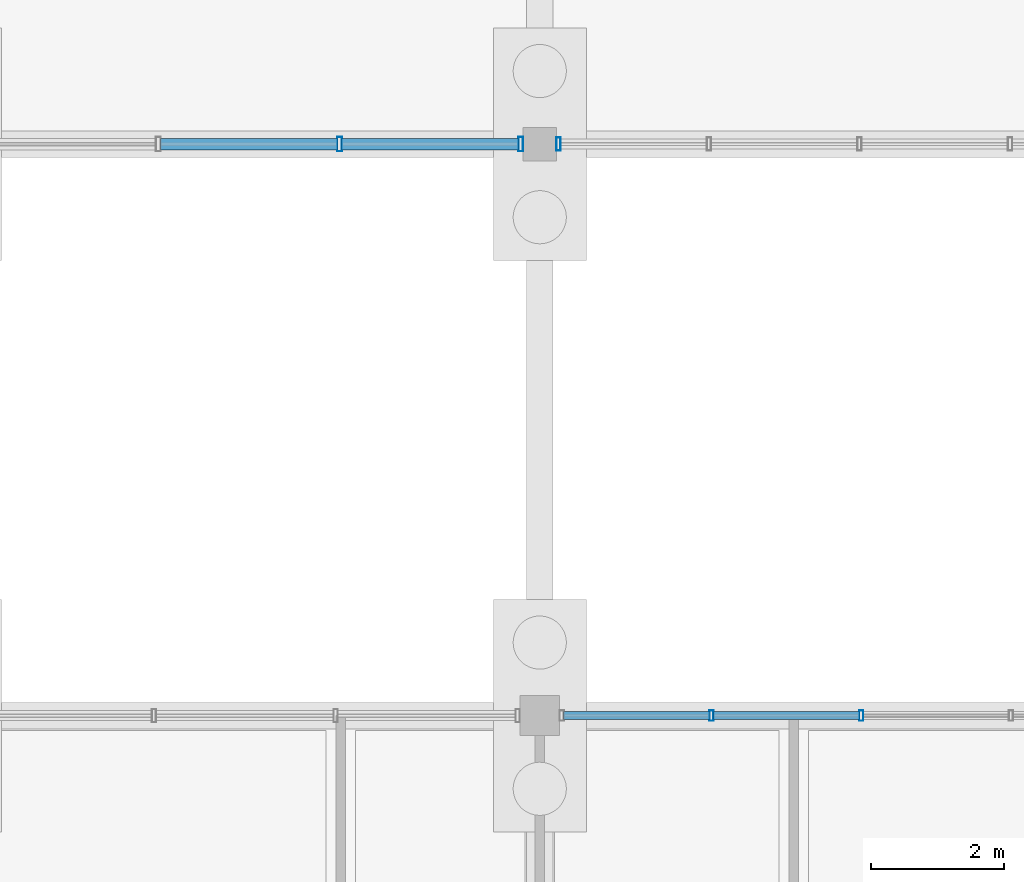
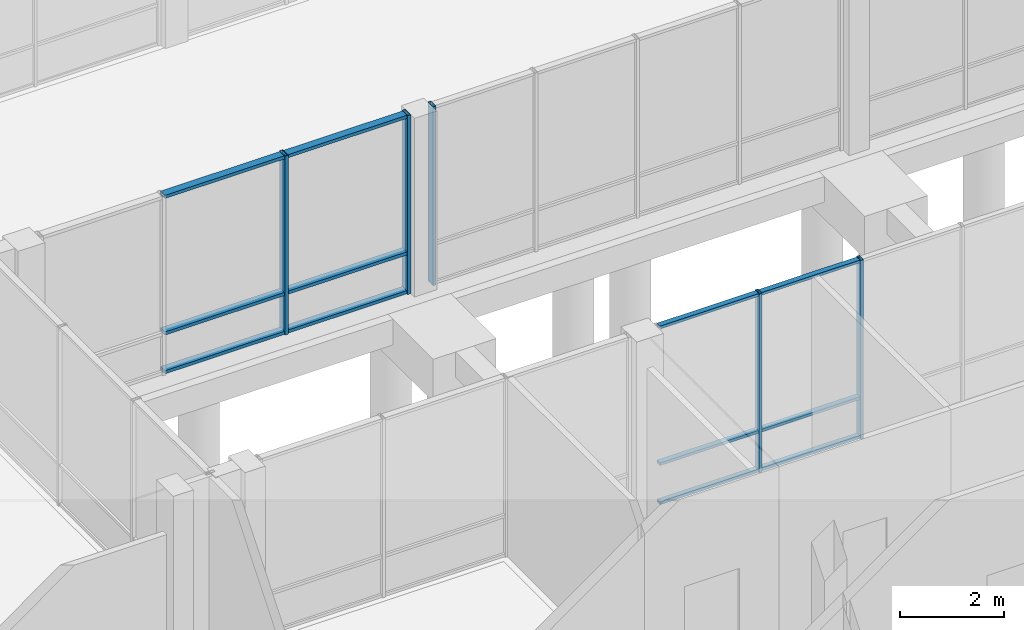
# One storey, part 50 of 104: 17 members, 3 elements without a shape of their own.
"""IFC4 building model written with IfcOpenShell, lengths in metres."""

from ifc_helpers import new_model, si_unit, direction, frame, origin, origin_2d, place, context, subcontext, project, spatial, hollow_rectangle, extrude, material, material_profile, profile_set, type_object, element, aggregate, save


model = new_model("IFC4")

# Units and contexts
model_context = context("Model", 3, precision=1e-05, world=origin(), true_north=direction((0.0, 1.0)))
body_context = subcontext(model_context, "Body", "Model", "MODEL_VIEW")
ifc_project = project(units=[si_unit("LENGTHUNIT", "METRE"), si_unit("AREAUNIT", "SQUARE_METRE"), si_unit("VOLUMEUNIT", "CUBIC_METRE"), si_unit("PLANEANGLEUNIT", "RADIAN"), si_unit("MASSUNIT", "GRAM", prefix="KILO")], contexts=[model_context])

# Site, building, storey
site_placement = place(None, origin())
site = spatial("IfcSite", under=ifc_project, at=site_placement, CompositionType="ELEMENT")
building_placement = place(site_placement, origin())
building = spatial("IfcBuilding", under=site, at=building_placement, Name="Hawrajan Terrace Health Centre", CompositionType="ELEMENT")
storey_placement = place(building_placement, origin())
storey = spatial("IfcBuildingStorey", under=building, at=storey_placement, Name="L00", CompositionType="ELEMENT", Elevation=0.0)

# Curtain wall, members
ifc_material_1 = material(Name="Anodized bronze aluminium and low-E solar glazing", Category="aluminium")
curtain_wall_type_1 = type_object("IfcCurtainWallType", Name="CW_Garden_SeriesF2", PredefinedType="USERDEFINED", material=ifc_material_1)
curtain_wall_1_placement = place(storey_placement, origin())
curtain_wall_1 = element("IfcCurtainWall", 1, at=curtain_wall_1_placement, inside=storey, type_object=curtain_wall_type_1, Name="Curtain wall CW-L00-039", ObjectType="UNITISED CURTAIN WALL", PredefinedType="USERDEFINED")
ifc_material_2 = material(Name="Anodized bronze aluminium 6063-T6", Category="aluminium")
ifc_material_profile_1 = material_profile(ifc_material_2, hollow_rectangle(XDim=0.06494140625, YDim=0.159912109375, WallThickness=0.00390625, at=origin_2d()), Name="CW MUL 65x160")
ifc_profile_set_1 = profile_set([ifc_material_profile_1], Name="Anodized bronze aluminium 6063-T6")
member_type_1 = type_object("IfcMemberType", Name="CWMullion_65x160", PredefinedType="MULLION", material=ifc_profile_set_1)
member_1_placement = place(storey_placement, frame((83.985107421875, 18.60009765625, -0.0048828125), z_axis=(0.0, 0.0, 1.0), x_axis=(1.0, 0.0, 0.0)))
member_1 = element("IfcMember", 2, at=member_1_placement, type_object=member_type_1, Name="Mullion CW-L00-039-M2", PredefinedType="MULLION", context=body_context, shape_type="SweptSolid", body=[
    extrude(hollow_rectangle(XDim=0.06494140625, YDim=0.159912109375, WallThickness=0.00390625, at=origin_2d()), origin(), (0.0, 0.0, 1.0), 4.2099609375),
])
member_2_placement = place(storey_placement, frame((86.237548828125, 18.60009765625, -0.0048828125), z_axis=(0.0, 0.0, 1.0), x_axis=(1.0, 0.0, 0.0)))
member_2 = element("IfcMember", 3, at=member_2_placement, type_object=member_type_1, Name="Mullion CW-L00-039-M3", PredefinedType="MULLION", context=body_context, shape_type="SweptSolid", body=[
    extrude(hollow_rectangle(XDim=0.06494140625, YDim=0.159912109375, WallThickness=0.00390625, at=origin_2d()), origin(), (0.0, 0.0, 1.0), 4.2099609375),
])

# Curtain wall, member
curtain_wall_type_2 = type_object("IfcCurtainWallType", Name="CW_Clerestory_SeriesG1", PredefinedType="USERDEFINED", material=ifc_material_1)
curtain_wall_2_placement = place(storey_placement, origin())
curtain_wall_2 = element("IfcCurtainWall", 4, at=curtain_wall_2_placement, inside=storey, type_object=curtain_wall_type_2, Name="Curtain wall CW-L00-040", ObjectType="UNITISED CURTAIN WALL", PredefinedType="USERDEFINED")
ifc_material_profile_2 = material_profile(ifc_material_2, hollow_rectangle(XDim=0.06494140625, YDim=0.199951171875, WallThickness=0.00439453125, at=origin_2d()), Name="CW MUL 65x200")
ifc_profile_set_2 = profile_set([ifc_material_profile_2], Name="Anodized bronze aluminium 6063-T6")
member_type_2 = type_object("IfcMemberType", Name="CWMullion_65x200", PredefinedType="MULLION", material=ifc_profile_set_2)
member_3_placement = place(storey_placement, frame((81.6826171875, 27.199951171875, -0.0048828125), z_axis=(0.0, 0.0, 1.0), x_axis=(1.0, 0.0, 0.0)))
member_3 = element("IfcMember", 5, at=member_3_placement, type_object=member_type_2, Name="Mullion CW-L00-040-M1", PredefinedType="MULLION", context=body_context, shape_type="SweptSolid", body=[
    extrude(hollow_rectangle(XDim=0.06494140625, YDim=0.199951171875, WallThickness=0.00439453125, at=origin_2d()), origin(), (0.0, 0.0, 1.0), 4.2099609375),
])
aggregate(curtain_wall_2, [member_3])

# Curtain wall, members
curtain_wall_type_3 = type_object("IfcCurtainWallType", Name="CW_Hall_SeriesD2", PredefinedType="USERDEFINED", material=ifc_material_1)
curtain_wall_3_placement = place(storey_placement, origin())
curtain_wall_3 = element("IfcCurtainWall", 6, at=curtain_wall_3_placement, inside=storey, type_object=curtain_wall_type_3, Name="Curtain wall CW-L00-035", ObjectType="UNITISED CURTAIN WALL", PredefinedType="USERDEFINED")
ifc_material_profile_3 = material_profile(ifc_material_2, hollow_rectangle(XDim=0.074951171875, YDim=0.219970703125, WallThickness=0.0048828125, at=origin_2d()), Name="CW MUL 75x220")
ifc_profile_set_3 = profile_set([ifc_material_profile_3], Name="Anodized bronze aluminium 6063-T6")
member_type_3 = type_object("IfcMemberType", Name="CWMullion_75x220", PredefinedType="MULLION", material=ifc_profile_set_3)
member_4_placement = place(storey_placement, frame((78.387451171875, 27.199951171875, -0.0048828125), z_axis=(0.0, 0.0, 1.0), x_axis=(1.0, 0.0, 0.0)))
member_4 = element("IfcMember", 7, at=member_4_placement, type_object=member_type_3, Name="Mullion CW-L00-035-M3", PredefinedType="MULLION", context=body_context, shape_type="SweptSolid", body=[
    extrude(hollow_rectangle(XDim=0.074951171875, YDim=0.219970703125, WallThickness=0.0048828125, at=origin_2d()), origin(), (0.0, 0.0, 1.0), 4.2099609375),
])
member_5_placement = place(storey_placement, frame((81.112548828125, 27.199951171875, -0.0048828125), z_axis=(0.0, 0.0, 1.0), x_axis=(1.0, 0.0, 0.0)))
member_5 = element("IfcMember", 8, at=member_5_placement, type_object=member_type_3, Name="Mullion CW-L00-035-M4", PredefinedType="MULLION", context=body_context, shape_type="SweptSolid", body=[
    extrude(hollow_rectangle(XDim=0.074951171875, YDim=0.219970703125, WallThickness=0.0048828125, at=origin_2d()), origin(), (0.0, 0.0, 1.0), 4.2099609375),
])

# Member
ifc_material_profile_4 = material_profile(ifc_material_2, hollow_rectangle(XDim=0.06494140625, YDim=0.1201171875, WallThickness=0.00341796875, at=origin_2d()), Name="CW TRN 65x120")
ifc_profile_set_4 = profile_set([ifc_material_profile_4], Name="Anodized bronze aluminium 6063-T6")
member_type_4 = type_object("IfcMemberType", Name="CWTransom_65x120", PredefinedType="USERDEFINED", material=ifc_profile_set_4)
member_6_placement = place(storey_placement, frame((81.759033203125, 18.60009765625, 0.032470703125), z_axis=(1.0, 0.0, 0.0), x_axis=(0.0, 0.0, 1.0)))
member_6 = element("IfcMember", 9, at=member_6_placement, type_object=member_type_4, Name="Transom CW-L00-039-T1-1", ObjectType="TRANSOM", PredefinedType="USERDEFINED", context=body_context, shape_type="SweptSolid", body=[
    extrude(hollow_rectangle(XDim=0.06494140625, YDim=0.1201171875, WallThickness=0.00341796875, at=origin_2d()), origin(), (0.0, 0.0, 1.0), 2.199462890625),
])

member_7_placement = place(storey_placement, frame((81.759033203125, 18.60009765625, 0.949951171875), z_axis=(1.0, 0.0, 0.0), x_axis=(0.0, 0.0, 1.0)))
member_7 = element("IfcMember", 10, at=member_7_placement, type_object=member_type_4, Name="Transom CW-L00-039-T1-2", ObjectType="TRANSOM", PredefinedType="USERDEFINED", context=body_context, shape_type="SweptSolid", body=[
    extrude(hollow_rectangle(XDim=0.06494140625, YDim=0.1201171875, WallThickness=0.00341796875, at=origin_2d()), origin(), (0.0, 0.0, 1.0), 2.199462890625),
])

member_8_placement = place(storey_placement, frame((81.759033203125, 18.60009765625, 4.16748046875), z_axis=(1.0, 0.0, 0.0), x_axis=(0.0, 0.0, 1.0)))
member_8 = element("IfcMember", 11, at=member_8_placement, type_object=member_type_4, Name="Transom CW-L00-039-T1-3", ObjectType="TRANSOM", PredefinedType="USERDEFINED", context=body_context, shape_type="SweptSolid", body=[
    extrude(hollow_rectangle(XDim=0.06494140625, YDim=0.1201171875, WallThickness=0.00341796875, at=origin_2d()), origin(), (0.0, 0.0, 1.0), 2.199462890625),
])

member_9_placement = place(storey_placement, frame((84.011474609375, 18.60009765625, 0.032470703125), z_axis=(1.0, 0.0, 0.0), x_axis=(0.0, 0.0, 1.0)))
member_9 = element("IfcMember", 12, at=member_9_placement, type_object=member_type_4, Name="Transom CW-L00-039-T2-1", ObjectType="TRANSOM", PredefinedType="USERDEFINED", context=body_context, shape_type="SweptSolid", body=[
    extrude(hollow_rectangle(XDim=0.06494140625, YDim=0.1201171875, WallThickness=0.00341796875, at=origin_2d()), origin(), (0.0, 0.0, 1.0), 2.199462890625),
])

member_10_placement = place(storey_placement, frame((84.011474609375, 18.60009765625, 0.949951171875), z_axis=(1.0, 0.0, 0.0), x_axis=(0.0, 0.0, 1.0)))
member_10 = element("IfcMember", 13, at=member_10_placement, type_object=member_type_4, Name="Transom CW-L00-039-T2-2", ObjectType="TRANSOM", PredefinedType="USERDEFINED", context=body_context, shape_type="SweptSolid", body=[
    extrude(hollow_rectangle(XDim=0.06494140625, YDim=0.1201171875, WallThickness=0.00341796875, at=origin_2d()), origin(), (0.0, 0.0, 1.0), 2.199462890625),
])

member_11_placement = place(storey_placement, frame((84.011474609375, 18.60009765625, 4.16748046875), z_axis=(1.0, 0.0, 0.0), x_axis=(0.0, 0.0, 1.0)))
member_11 = element("IfcMember", 14, at=member_11_placement, type_object=member_type_4, Name="Transom CW-L00-039-T2-3", ObjectType="TRANSOM", PredefinedType="USERDEFINED", context=body_context, shape_type="SweptSolid", body=[
    extrude(hollow_rectangle(XDim=0.06494140625, YDim=0.1201171875, WallThickness=0.00341796875, at=origin_2d()), origin(), (0.0, 0.0, 1.0), 2.199462890625),
])

aggregate(curtain_wall_1, [member_1, member_2, member_6, member_7, member_8, member_9, member_10, member_11])

ifc_material_profile_5 = material_profile(ifc_material_2, hollow_rectangle(XDim=0.074951171875, YDim=0.169921875, WallThickness=0.00439453125, at=origin_2d()), Name="CW TRN 75x170")
ifc_profile_set_5 = profile_set([ifc_material_profile_5], Name="Anodized bronze aluminium 6063-T6")
member_type_5 = type_object("IfcMemberType", Name="CWTransom_75x170", PredefinedType="USERDEFINED", material=ifc_profile_set_5)
member_12_placement = place(storey_placement, frame((75.694091796875, 27.199951171875, 0.03759765625), z_axis=(1.0, 0.0, 0.0), x_axis=(0.0, 0.0, 1.0)))
member_12 = element("IfcMember", 15, at=member_12_placement, type_object=member_type_5, Name="Transom CW-L00-035-T2-1", ObjectType="TRANSOM", PredefinedType="USERDEFINED", context=body_context, shape_type="SweptSolid", body=[
    extrude(hollow_rectangle(XDim=0.074951171875, YDim=0.169921875, WallThickness=0.00439453125, at=origin_2d()), origin(), (0.0, 0.0, 1.0), 2.661865234375),
])

member_13_placement = place(storey_placement, frame((75.694091796875, 27.199951171875, 0.949951171875), z_axis=(1.0, 0.0, 0.0), x_axis=(0.0, 0.0, 1.0)))
member_13 = element("IfcMember", 16, at=member_13_placement, type_object=member_type_5, Name="Transom CW-L00-035-T2-2", ObjectType="TRANSOM", PredefinedType="USERDEFINED", context=body_context, shape_type="SweptSolid", body=[
    extrude(hollow_rectangle(XDim=0.074951171875, YDim=0.169921875, WallThickness=0.00439453125, at=origin_2d()), origin(), (0.0, 0.0, 1.0), 2.661865234375),
])

member_14_placement = place(storey_placement, frame((75.694091796875, 27.199951171875, 4.16259765625), z_axis=(1.0, 0.0, 0.0), x_axis=(0.0, 0.0, 1.0)))
member_14 = element("IfcMember", 17, at=member_14_placement, type_object=member_type_5, Name="Transom CW-L00-035-T2-3", ObjectType="TRANSOM", PredefinedType="USERDEFINED", context=body_context, shape_type="SweptSolid", body=[
    extrude(hollow_rectangle(XDim=0.074951171875, YDim=0.169921875, WallThickness=0.00439453125, at=origin_2d()), origin(), (0.0, 0.0, 1.0), 2.661865234375),
])

member_15_placement = place(storey_placement, frame((78.4189453125, 27.199951171875, 0.03759765625), z_axis=(1.0, 0.0, 0.0), x_axis=(0.0, 0.0, 1.0)))
member_15 = element("IfcMember", 18, at=member_15_placement, type_object=member_type_5, Name="Transom CW-L00-035-T3-1", ObjectType="TRANSOM", PredefinedType="USERDEFINED", context=body_context, shape_type="SweptSolid", body=[
    extrude(hollow_rectangle(XDim=0.074951171875, YDim=0.169921875, WallThickness=0.00439453125, at=origin_2d()), origin(), (0.0, 0.0, 1.0), 2.662109375),
])

member_16_placement = place(storey_placement, frame((78.4189453125, 27.199951171875, 0.949951171875), z_axis=(1.0, 0.0, 0.0), x_axis=(0.0, 0.0, 1.0)))
member_16 = element("IfcMember", 19, at=member_16_placement, type_object=member_type_5, Name="Transom CW-L00-035-T3-2", ObjectType="TRANSOM", PredefinedType="USERDEFINED", context=body_context, shape_type="SweptSolid", body=[
    extrude(hollow_rectangle(XDim=0.074951171875, YDim=0.169921875, WallThickness=0.00439453125, at=origin_2d()), origin(), (0.0, 0.0, 1.0), 2.662109375),
])

member_17_placement = place(storey_placement, frame((78.4189453125, 27.199951171875, 4.16259765625), z_axis=(1.0, 0.0, 0.0), x_axis=(0.0, 0.0, 1.0)))
member_17 = element("IfcMember", 20, at=member_17_placement, type_object=member_type_5, Name="Transom CW-L00-035-T3-3", ObjectType="TRANSOM", PredefinedType="USERDEFINED", context=body_context, shape_type="SweptSolid", body=[
    extrude(hollow_rectangle(XDim=0.074951171875, YDim=0.169921875, WallThickness=0.00439453125, at=origin_2d()), origin(), (0.0, 0.0, 1.0), 2.662109375),
])

aggregate(curtain_wall_3, [member_4, member_5, member_12, member_13, member_14, member_15, member_16, member_17])

save(model, "model.ifc")
